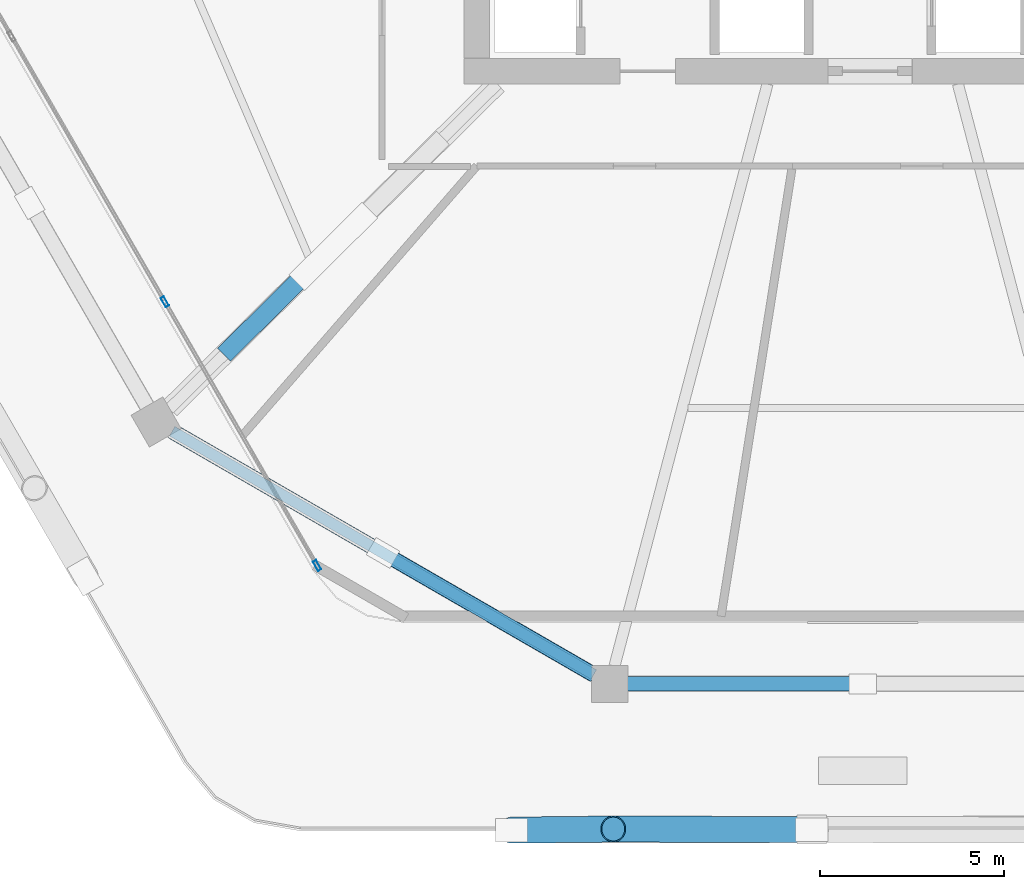
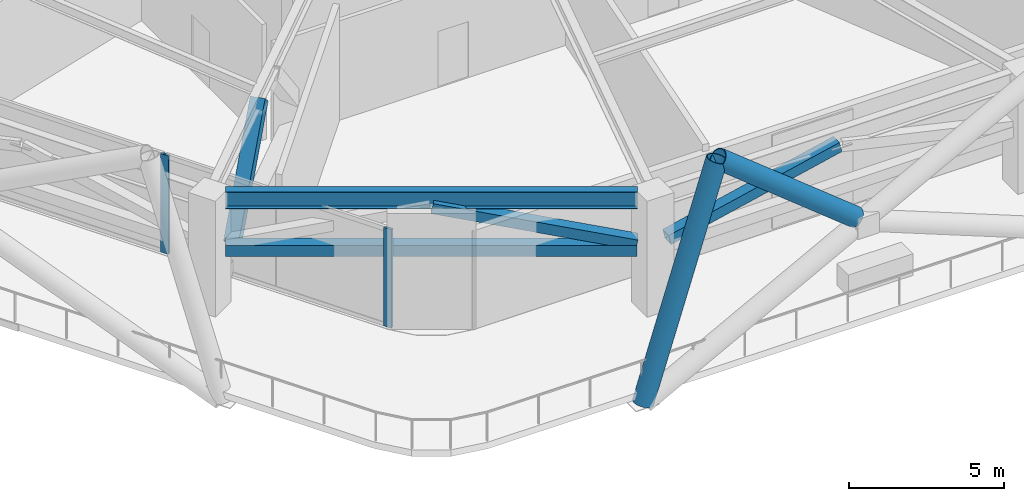
# One storey, part 2 of 20: 8 members, 1 beam, 1 element without a shape of its own.
"""IFC4 building model written with IfcOpenShell, lengths in metres."""

from ifc_helpers import new_model, si_unit, direction, frame, origin, origin_2d, place, context, subcontext, project, spatial, hollow_rectangle, hollow_circle, i_section, extrude, material, material_profile, profile_set, type_object, element, aggregate, save


model = new_model("IFC4")

# Units and contexts
model_context = context("Model", 3, precision=1e-05, world=origin(), true_north=direction((0.0, 1.0)))
body_context = subcontext(model_context, "Body", "Model", "MODEL_VIEW")
ifc_project = project(units=[si_unit("LENGTHUNIT", "METRE"), si_unit("AREAUNIT", "SQUARE_METRE"), si_unit("VOLUMEUNIT", "CUBIC_METRE"), si_unit("PLANEANGLEUNIT", "RADIAN"), si_unit("MASSUNIT", "GRAM", prefix="KILO")], contexts=[model_context])

# Site, building, storey
site_placement = place(None, origin())
site = spatial("IfcSite", under=ifc_project, at=site_placement, CompositionType="ELEMENT")
building_placement = place(site_placement, origin())
building = spatial("IfcBuilding", under=site, at=building_placement, Name="Zuhravey Tower", CompositionType="ELEMENT")
storey_placement = place(building_placement, frame((0.0, 0.0, 145.60009765625)))
storey = spatial("IfcBuildingStorey", under=building, at=storey_placement, Name="L36", CompositionType="ELEMENT", Elevation=145.60009765625)

# Members
ifc_material_1 = material(Name="Steel SM355", Category="steel")
ifc_material_profile_1 = material_profile(ifc_material_1, hollow_rectangle(XDim=0.419921875, YDim=0.419921875, WallThickness=0.028076171875, at=origin_2d()), Name="RHS-420x420x28")
ifc_profile_set_1 = profile_set([ifc_material_profile_1], Name="Steel SM355")
member_type_1 = type_object("IfcMemberType", Name="Belt Truss Chord RHS420x420", PredefinedType="CHORD", material=ifc_profile_set_1)
member_1_placement = place(storey_placement, frame((17.2119140625, 12.700927734375, 2.27001953125), z_axis=(0.866022260515, -0.500005444263, 0.0), x_axis=(0.500005444263, 0.866022260515, 0.0)))
element("IfcMember", 1, at=member_1_placement, inside=storey, type_object=member_type_1, Name="L36 Belt Truss Bottom Chord BTC1-07", PredefinedType="CHORD", context=body_context, shape_type="SweptSolid", body=[
    extrude(hollow_rectangle(XDim=0.419921875, YDim=0.419921875, WallThickness=0.028076171875, at=origin_2d()), origin(), (0.0, 0.0, 1.0), 13.242919921875),
])
ifc_material_profile_2 = material_profile(ifc_material_1, hollow_rectangle(XDim=0.39990234375, YDim=0.39990234375, WallThickness=0.02490234375, at=origin_2d()), Name="RHS-400x400x25")
ifc_profile_set_2 = profile_set([ifc_material_profile_2], Name="Steel SM355")
member_type_2 = type_object("IfcMemberType", Name="Belt Truss Diagonal RHS400x400", PredefinedType="BRACE", material=ifc_profile_set_2)
member_2_placement = place(storey_placement, frame((28.66796875, 6.086669921875, 2.4931640625), z_axis=(-0.846250800757, 0.488578460172, 0.212486871299), x_axis=(-0.499996417602, -0.866027472073, 0.0)))
element("IfcMember", 2, at=member_2_placement, inside=storey, type_object=member_type_2, Name="L36 Belt Truss Diagonal BTD1-07.2", PredefinedType="BRACE", context=body_context, shape_type="SweptSolid", body=[
    extrude(hollow_rectangle(XDim=0.39990234375, YDim=0.39990234375, WallThickness=0.02490234375, at=origin_2d()), origin(), (0.0, 0.0, 1.0), 6.736328125),
])
member_3_placement = place(storey_placement, frame((29.6376953125, 5.826904296875, 2.4931640625), z_axis=(0.975440481227, 0.0, 0.220263178003), x_axis=(0.0, 1.0, 0.0)))
element("IfcMember", 3, at=member_3_placement, inside=storey, type_object=member_type_2, Name="L36 Belt Truss Diagonal BTD1-08.1", PredefinedType="BRACE", context=body_context, shape_type="SweptSolid", body=[
    extrude(hollow_rectangle(XDim=0.39990234375, YDim=0.39990234375, WallThickness=0.02490234375, at=origin_2d()), origin(), (0.0, 0.0, 1.0), 6.49755859375),
])
ifc_material_2 = material(Name="Steel SM460", Category="steel")
ifc_material_profile_3 = material_profile(ifc_material_2, hollow_circle(Radius=0.355712890625, WallThickness=0.031982421875, at=origin_2d()), Name="CHS-711.2x32")
ifc_profile_set_3 = profile_set([ifc_material_profile_3], Name="Steel SM460")
member_type_3 = type_object("IfcMemberType", Name="Exoskeleton Zone 2 Diagrid CHS711x32", PredefinedType="BRACE", material=ifc_profile_set_3)
member_4_placement = place(storey_placement, frame((26.451416015625, 1.846923828125, -0.47412109375), z_axis=(0.30602065089, 0.003301018515, 0.952019151333), x_axis=(-0.010786286721, 0.999941826317, 0.0)))
element("IfcMember", 4, at=member_4_placement, inside=storey, type_object=member_type_3, Name="L36 Face 5 Diagrid Brace 1", PredefinedType="BRACE", context=body_context, shape_type="SweptSolid", body=[
    extrude(hollow_circle(Radius=0.355712890625, WallThickness=0.031982421875, at=origin_2d()), origin(), (0.0, 0.0, 1.0), 9.02294921875),
])
member_5_placement = place(storey_placement, frame((34.34326171875, 1.862548828125, 4.03662109375), z_axis=(-0.780877927945, 0.002172018023, 0.624679873204), x_axis=(-0.002781497009, -0.99999613163, 0.0)))
element("IfcMember", 5, at=member_5_placement, inside=storey, type_object=member_type_3, Name="L36 Face 5 Split Diagrid Brace 3B", PredefinedType="BRACE", context=body_context, shape_type="SweptSolid", body=[
    extrude(hollow_circle(Radius=0.355712890625, WallThickness=0.031982421875, at=origin_2d()), origin(), (0.0, 0.0, 1.0), 6.519287109375),
])

# Curtain wall, members
ifc_material_3 = material(Name="Thermally broken anodised aluminium", Category="aluminium")
curtain_wall_type = type_object("IfcCurtainWallType", Name="Sky-Garden Tray Clerestory Curtain Wall CW5", PredefinedType="NOTDEFINED", material=ifc_material_3)
curtain_wall_placement = place(storey_placement, origin())
curtain_wall = element("IfcCurtainWall", 6, at=curtain_wall_placement, inside=storey, type_object=curtain_wall_type, Name="L36 CW5 CW-L36-F4-1", PredefinedType="NOTDEFINED")
ifc_material_4 = material(Name="Anodised aluminium", Category="aluminium")
ifc_material_profile_4 = material_profile(ifc_material_4, hollow_rectangle(XDim=0.10009765625, YDim=0.2900390625, WallThickness=0.006103515625, at=origin_2d()), Name="ALU-RHS-100x290x6")
ifc_profile_set_4 = profile_set([ifc_material_profile_4], Name="Anodised aluminium")
member_type_4 = type_object("IfcMemberType", Name="Heavy Tall-Storey Mullion 100x220", PredefinedType="MULLION", material=ifc_profile_set_4)
member_6_placement = place(storey_placement, frame((21.154052734375, 9.047607421875, 0.0), z_axis=(0.0, 0.0, 1.0), x_axis=(-0.866025574591, -0.499999704154, 0.0)))
member_6 = element("IfcMember", 7, at=member_6_placement, type_object=member_type_4, Name="CW5 mullion 1", PredefinedType="MULLION", context=body_context, shape_type="SweptSolid", body=[
    extrude(hollow_rectangle(XDim=0.10009765625, YDim=0.2900390625, WallThickness=0.006103515625, at=origin_2d()), origin(), (0.0, 0.0, 1.0), 3.869873046875),
])
member_7_placement = place(storey_placement, frame((17.010986328125, 16.223876953125, 0.0), z_axis=(0.0, 0.0, 1.0), x_axis=(-0.866025574591, -0.499999704154, 0.0)))
member_7 = element("IfcMember", 8, at=member_7_placement, type_object=member_type_4, Name="CW5 mullion 2", PredefinedType="MULLION", context=body_context, shape_type="SweptSolid", body=[
    extrude(hollow_rectangle(XDim=0.10009765625, YDim=0.2900390625, WallThickness=0.006103515625, at=origin_2d()), origin(), (0.0, 0.0, 1.0), 3.869873046875),
])
aggregate(curtain_wall, [member_6, member_7])

# Member
ifc_material_profile_5 = material_profile(ifc_material_2, hollow_rectangle(XDim=0.5, YDim=0.5, WallThickness=0.031982421875, at=origin_2d()), Name="RHS-500x500x32")
ifc_profile_set_5 = profile_set([ifc_material_profile_5], Name="Steel SM460")
member_type_5 = type_object("IfcMemberType", Name="Outrigger Truss Diagonal RHS500x500", PredefinedType="BRACE", material=ifc_profile_set_5)
member_8_placement = place(storey_placement, frame((18.748291015625, 14.908935546875, 0.559814453125), z_axis=(0.486365087696, 0.481852210459, 0.728880956498), x_axis=(-0.703803299445, 0.710394901228, 0.0)))
element("IfcMember", 9, at=member_8_placement, inside=storey, type_object=member_type_5, Name="L36 Outrigger Diagonal OTD1-06.2", PredefinedType="BRACE", context=body_context, shape_type="SweptSolid", body=[
    extrude(hollow_rectangle(XDim=0.5, YDim=0.5, WallThickness=0.031982421875, at=origin_2d()), origin(), (0.0, 0.0, 1.0), 4.7607421875),
])

# Beam
ifc_material_profile_6 = material_profile(ifc_material_1, i_section(OverallWidth=0.300048828125, OverallDepth=0.679931640625, WebThickness=0.012939453125, FlangeThickness=0.02197265625, at=origin_2d()), Name="H-680x300x13x22")
ifc_profile_set_6 = profile_set([ifc_material_profile_6], Name="Steel SM355")
beam_type = type_object("IfcBeamType", Name="Perimeter Ring Beam H680x300", PredefinedType="BEAM", material=ifc_profile_set_6)
beam_placement = place(storey_placement, frame((17.210205078125, 12.701904296875, 4.2099609375), z_axis=(0.866022923061, -0.500004296715, 0.0), x_axis=(0.500004296715, 0.866022923061, 0.0)))
element("IfcBeam", 10, at=beam_placement, inside=storey, type_object=beam_type, Name="L36 PB2 BM-L36-PB-08", PredefinedType="BEAM", context=body_context, shape_type="SweptSolid", body=[
    extrude(i_section(OverallWidth=0.300048828125, OverallDepth=0.679931640625, WebThickness=0.012939453125, FlangeThickness=0.02197265625, at=origin_2d()), origin(), (0.0, 0.0, 1.0), 13.2470703125),
])

save(model, "model.ifc")
